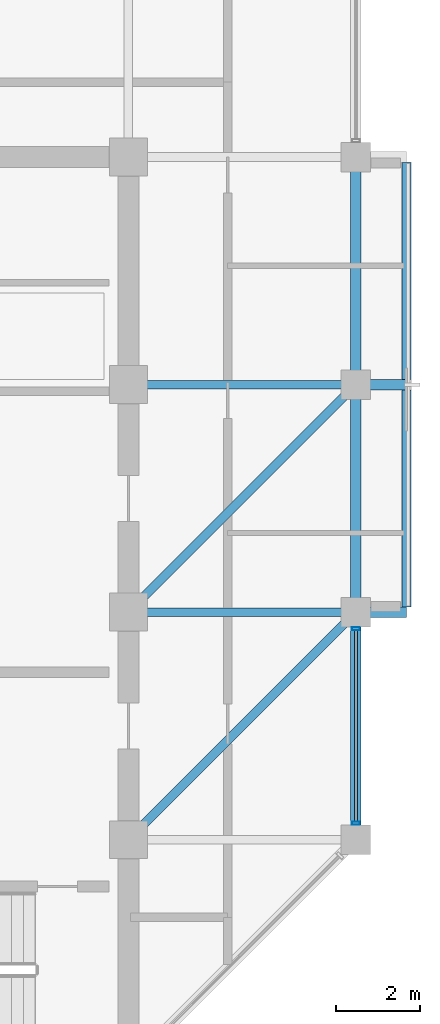
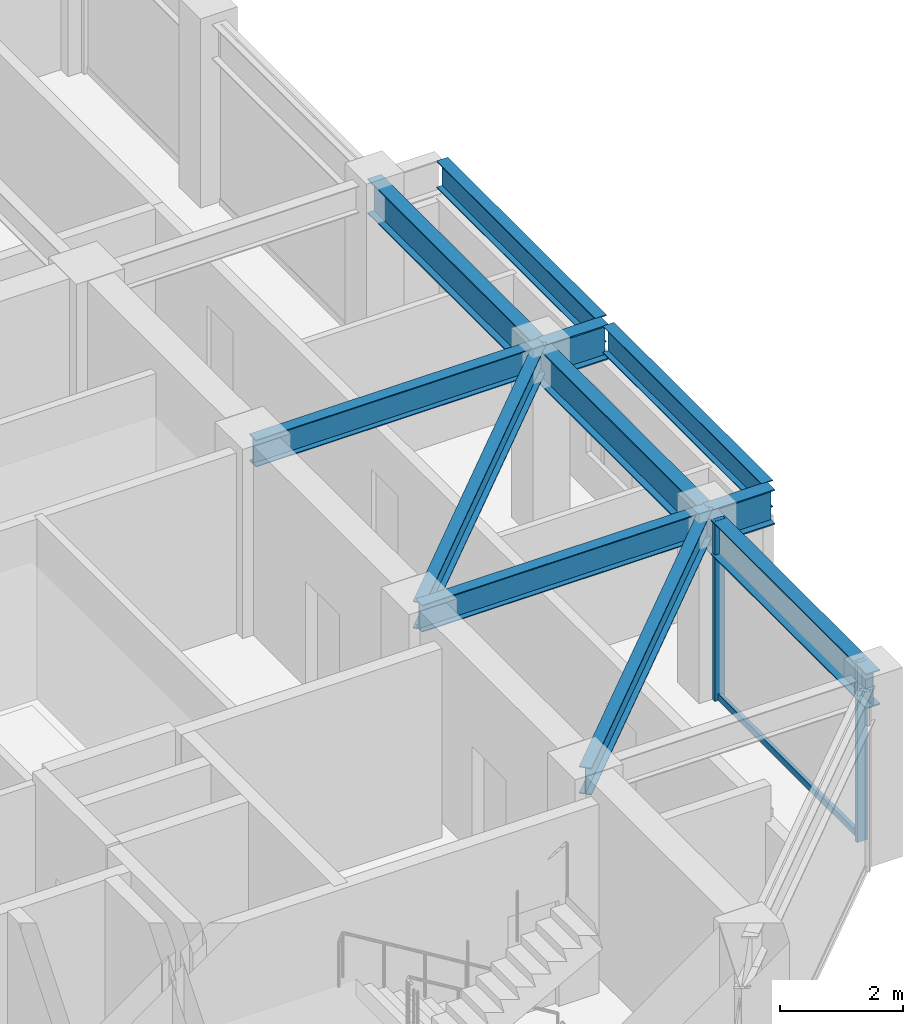
# One storey, part 11 of 29: 11 beams, 3 members, 1 element without a shape of its own.
"""IFC4 building model written with IfcOpenShell, lengths in metres."""

from ifc_helpers import new_model, si_unit, direction, frame, origin, origin_2d, place, context, subcontext, project, spatial, hollow_rectangle, i_section, extrude, material, layer, layer_set, material_profile, profile_set, type_object, element, aggregate, save


model = new_model("IFC4")

# Units and contexts
model_context = context("Model", 3, precision=1e-05, world=origin(), true_north=direction((0.0, 1.0)))
body_context = subcontext(model_context, "Body", "Model", "MODEL_VIEW")
ifc_project = project(units=[si_unit("LENGTHUNIT", "METRE"), si_unit("AREAUNIT", "SQUARE_METRE"), si_unit("VOLUMEUNIT", "CUBIC_METRE"), si_unit("PLANEANGLEUNIT", "RADIAN"), si_unit("MASSUNIT", "GRAM", prefix="KILO")], contexts=[model_context])

# Site, building, storey
site_placement = place(None, origin())
site = spatial("IfcSite", under=ifc_project, at=site_placement, CompositionType="ELEMENT")
building_placement = place(site_placement, origin())
building = spatial("IfcBuilding", under=site, at=building_placement, Name="Surkhivell Harbour Commons", CompositionType="ELEMENT")
storey_placement = place(building_placement, frame((0.0, 0.0, 273.75)))
storey = spatial("IfcBuildingStorey", under=building, at=storey_placement, Name="L71", CompositionType="ELEMENT", Elevation=273.75)

# Beams
ifc_material_1 = material(Name="Steel S460", Category="steel")
ifc_material_profile_1 = material_profile(ifc_material_1, i_section(OverallWidth=0.256103515625, OverallDepth=0.693115234375, WebThickness=0.014404296875, FlangeThickness=0.023681640625, at=origin_2d()), Name="UB686x254x170")
ifc_profile_set_1 = profile_set([ifc_material_profile_1], Name="Steel S460")
beam_type_1 = type_object("IfcBeamType", Name="BM-CNT-686", PredefinedType="BEAM", material=ifc_profile_set_1)
for number, where, z_axis, x_axis, name in (
    (1, (16.199951171875, 0.0, 3.223388671875), (1.0, 0.0, 0.0), (0.0, 1.0, 0.0), "L71 Box Cantilever Outrigger (16.2,0.0)"),
    (2, (16.199951171875, 5.39990234375, 3.223388671875), (1.0, 0.0, 0.0), (0.0, 1.0, 0.0), "L71 Box Cantilever Outrigger (16.2,5.4)"),
):
    element("IfcBeam", number, at=place(storey_placement, frame(where, z_axis=z_axis, x_axis=x_axis)), inside=storey, type_object=beam_type_1, Name=name, PredefinedType="BEAM", context=body_context, shape_type="SweptSolid", body=[
        extrude(i_section(OverallWidth=0.256103515625, OverallDepth=0.693115234375, WebThickness=0.014404296875, FlangeThickness=0.023681640625, at=origin_2d()), origin(), (0.0, 0.0, 1.0), 1.199951171875),
    ])
ifc_material_2 = material(Name="Steel S355", Category="steel")
ifc_material_profile_2 = material_profile(ifc_material_2, i_section(OverallWidth=0.2099609375, OverallDepth=0.537109375, WebThickness=0.0107421875, FlangeThickness=0.017333984375, at=origin_2d()), Name="UB533x210x101")
ifc_profile_set_2 = profile_set([ifc_material_profile_2], Name="Steel S355")
beam_type_2 = type_object("IfcBeamType", Name="BM-GRD-533B", PredefinedType="BEAM", material=ifc_profile_set_2)
beam_1_placement = place(storey_placement, frame((10.800048828125, -5.39990234375, 3.301513671875), z_axis=(0.707106781187, 0.707106781187, 0.0), x_axis=(-0.707106781187, 0.707106781187, 0.0)))
element("IfcBeam", 3, at=beam_1_placement, inside=storey, type_object=beam_type_2, Name="L71 Floor Girder (10.8,-5.4)", PredefinedType="BEAM", context=body_context, shape_type="SweptSolid", body=[
    extrude(i_section(OverallWidth=0.2099609375, OverallDepth=0.537109375, WebThickness=0.0107421875, FlangeThickness=0.017333984375, at=origin_2d()), origin(), (0.0, 0.0, 1.0), 7.63671875),
])
beam_2_placement = place(storey_placement, frame((10.800048828125, 0.0, 3.301513671875), z_axis=(1.0, 0.0, 0.0), x_axis=(0.0, 1.0, 0.0)))
element("IfcBeam", 4, at=beam_2_placement, inside=storey, type_object=beam_type_2, Name="L71 Floor Girder (10.8,0.0)", PredefinedType="BEAM", context=body_context, shape_type="SweptSolid", body=[
    extrude(i_section(OverallWidth=0.2099609375, OverallDepth=0.537109375, WebThickness=0.0107421875, FlangeThickness=0.017333984375, at=origin_2d()), origin(), (0.0, 0.0, 1.0), 5.39990234375),
])
beam_3_placement = place(storey_placement, frame((10.800048828125, 0.0, 3.301513671875), z_axis=(0.707106781187, 0.707106781187, 0.0), x_axis=(-0.707106781187, 0.707106781187, 0.0)))
element("IfcBeam", 5, at=beam_3_placement, inside=storey, type_object=beam_type_2, Name="L71 Floor Girder (10.8,0.0)", PredefinedType="BEAM", context=body_context, shape_type="SweptSolid", body=[
    extrude(i_section(OverallWidth=0.2099609375, OverallDepth=0.537109375, WebThickness=0.0107421875, FlangeThickness=0.017333984375, at=origin_2d()), origin(), (0.0, 0.0, 1.0), 7.63671875),
])
beam_4_placement = place(storey_placement, frame((10.800048828125, 5.39990234375, 3.301513671875), z_axis=(1.0, 0.0, 0.0), x_axis=(0.0, 1.0, 0.0)))
element("IfcBeam", 6, at=beam_4_placement, inside=storey, type_object=beam_type_2, Name="L71 Floor Girder (10.8,5.4)", PredefinedType="BEAM", context=body_context, shape_type="SweptSolid", body=[
    extrude(i_section(OverallWidth=0.2099609375, OverallDepth=0.537109375, WebThickness=0.0107421875, FlangeThickness=0.017333984375, at=origin_2d()), origin(), (0.0, 0.0, 1.0), 5.39990234375),
])
for number, where, z_axis, x_axis, name in (
    (7, (17.39990234375, 0.1220703125, 3.301513671875), (0.0, 1.0, 0.0), (-1.0, 0.0, 0.0), "L71 Box Rim Spandrel (17.4,0.0)"),
    (8, (17.39990234375, 5.52197265625, 3.301513671875), (0.0, 1.0, 0.0), (-1.0, 0.0, 0.0), "L71 Box Rim Spandrel (17.4,5.4)"),
):
    element("IfcBeam", number, at=place(storey_placement, frame(where, z_axis=z_axis, x_axis=x_axis)), inside=storey, type_object=beam_type_2, Name=name, PredefinedType="BEAM", context=body_context, shape_type="SweptSolid", body=[
        extrude(i_section(OverallWidth=0.2099609375, OverallDepth=0.537109375, WebThickness=0.0107421875, FlangeThickness=0.017333984375, at=origin_2d()), origin(), (0.0, 0.0, 1.0), 5.156005859375),
    ])
ifc_material_profile_3 = material_profile(ifc_material_2, i_section(OverallWidth=0.256103515625, OverallDepth=0.693115234375, WebThickness=0.014404296875, FlangeThickness=0.023681640625, at=origin_2d()), Name="UB686x254x170")
ifc_profile_set_3 = profile_set([ifc_material_profile_3], Name="Steel S355")
beam_type_3 = type_object("IfcBeamType", Name="BM-SPN-686", PredefinedType="SPANDREL", material=ifc_profile_set_3)
for number, where, z_axis, x_axis, name in (
    (9, (16.199951171875, -5.39990234375, 3.223388671875), (0.0, 1.0, 0.0), (-1.0, 0.0, 0.0), "L71 Tube Spandrel (16.2,-5.4)"),
    (10, (16.199951171875, 0.0, 3.223388671875), (0.0, 1.0, 0.0), (-1.0, 0.0, 0.0), "L71 Tube Spandrel (16.2,0.0)"),
):
    element("IfcBeam", number, at=place(storey_placement, frame(where, z_axis=z_axis, x_axis=x_axis)), inside=storey, type_object=beam_type_3, Name=name, PredefinedType="SPANDREL", context=body_context, shape_type="SweptSolid", body=[
        extrude(i_section(OverallWidth=0.256103515625, OverallDepth=0.693115234375, WebThickness=0.014404296875, FlangeThickness=0.023681640625, at=origin_2d()), origin(), (0.0, 0.0, 1.0), 5.39990234375),
    ])
beam_5_placement = place(storey_placement, frame((16.199951171875, 5.39990234375, 3.223388671875), z_axis=(0.0, 1.0, 0.0), x_axis=(-1.0, 0.0, 0.0)))
element("IfcBeam", 11, at=beam_5_placement, inside=storey, type_object=beam_type_3, Name="L71 Tube Spandrel (16.2,5.4)", PredefinedType="SPANDREL", context=body_context, shape_type="SweptSolid", body=[
    extrude(i_section(OverallWidth=0.256103515625, OverallDepth=0.693115234375, WebThickness=0.014404296875, FlangeThickness=0.023681640625, at=origin_2d()), origin(), (0.0, 0.0, 1.0), 5.400146484375),
])

# Curtain wall, members
ifc_material_3 = material(Name="Anodised pale-metal aluminium and insulated glazing", Category="aluminium")
ifc_layer = layer(ifc_material_3, 0.175048828125)
ifc_layer_set = layer_set([ifc_layer], Name="Anodised pale-metal aluminium and insulated glazing")
curtain_wall_type = type_object("IfcCurtainWallType", Name="CW-SYS-Z4", PredefinedType="NOTDEFINED", material=ifc_layer_set)
curtain_wall_placement = place(storey_placement, origin())
curtain_wall = element("IfcCurtainWall", 12, at=curtain_wall_placement, inside=storey, type_object=curtain_wall_type, Name="L71 Curtain Wall CW-L71-E02R1", PredefinedType="NOTDEFINED")
ifc_material_4 = material(Name="Anodised pale-metal aluminium alloy 6063-T6", Category="aluminium")
ifc_material_profile_4 = material_profile(ifc_material_4, hollow_rectangle(XDim=0.074951171875, YDim=0.18994140625, WallThickness=0.00390625, at=origin_2d()), Name="ALU-MULL-75x190")
ifc_profile_set_4 = profile_set([ifc_material_profile_4], Name="Anodised pale-metal aluminium alloy 6063-T6")
member_type_1 = type_object("IfcMemberType", Name="CWM-190", PredefinedType="MULLION", material=ifc_profile_set_4)
member_1_placement = place(storey_placement, frame((16.199951171875, -5.010498046875, 0.0), z_axis=(0.0, 0.0, 1.0), x_axis=(0.0, 1.0, 0.0)))
member_1 = element("IfcMember", 13, at=member_1_placement, type_object=member_type_1, Name="CW-Z4 mullion 1", PredefinedType="MULLION", context=body_context, shape_type="SweptSolid", body=[
    extrude(hollow_rectangle(XDim=0.074951171875, YDim=0.18994140625, WallThickness=0.00390625, at=origin_2d()), origin(), (0.0, 0.0, 1.0), 3.570068359375),
])
member_2_placement = place(storey_placement, frame((16.199951171875, -0.389404296875, 0.0), z_axis=(0.0, 0.0, 1.0), x_axis=(0.0, 1.0, 0.0)))
member_2 = element("IfcMember", 14, at=member_2_placement, type_object=member_type_1, Name="CW-Z4 mullion 2", PredefinedType="MULLION", context=body_context, shape_type="SweptSolid", body=[
    extrude(hollow_rectangle(XDim=0.074951171875, YDim=0.18994140625, WallThickness=0.00390625, at=origin_2d()), origin(), (0.0, 0.0, 1.0), 3.570068359375),
])
ifc_material_5 = material(Name="Champagne anodised aluminium alloy 6063-T6", Category="aluminium")
ifc_material_profile_5 = material_profile(ifc_material_5, hollow_rectangle(XDim=0.070068359375, YDim=0.1298828125, WallThickness=0.00341796875, at=origin_2d()), Name="ALU-TRAN-70x130")
ifc_profile_set_5 = profile_set([ifc_material_profile_5], Name="Champagne anodised aluminium alloy 6063-T6")
member_type_2 = type_object("IfcMemberType", Name="CWT-130", PredefinedType="USERDEFINED", material=ifc_profile_set_5)
member_3_placement = place(storey_placement, frame((16.199951171875, -4.972900390625, 0.06494140625), z_axis=(0.0, 1.0, 0.0), x_axis=(-1.0, 0.0, 0.0)))
member_3 = element("IfcMember", 15, at=member_3_placement, type_object=member_type_2, Name="CW-Z4 transom 1.1", ObjectType="TRANSOM", PredefinedType="USERDEFINED", context=body_context, shape_type="SweptSolid", body=[
    extrude(hollow_rectangle(XDim=0.070068359375, YDim=0.1298828125, WallThickness=0.00341796875, at=origin_2d()), origin(), (0.0, 0.0, 1.0), 4.5458984375),
])
aggregate(curtain_wall, [member_1, member_2, member_3])

save(model, "model.ifc")
